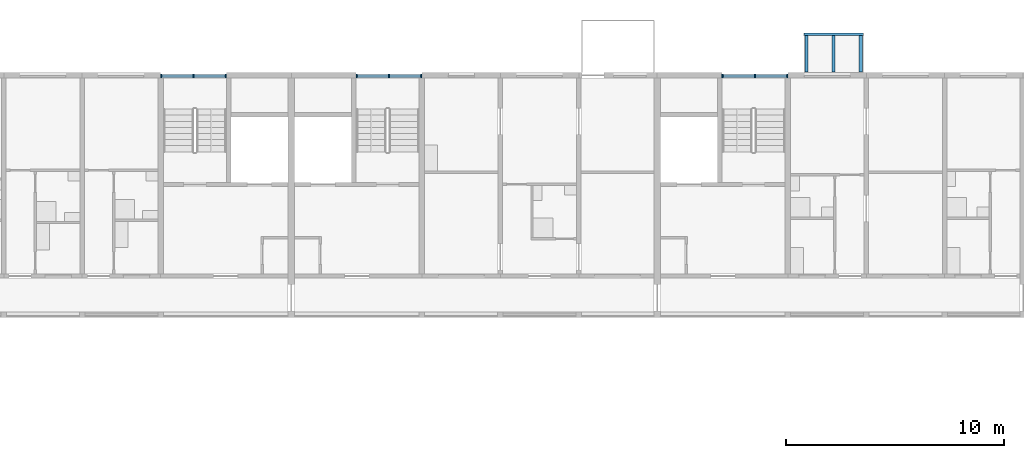
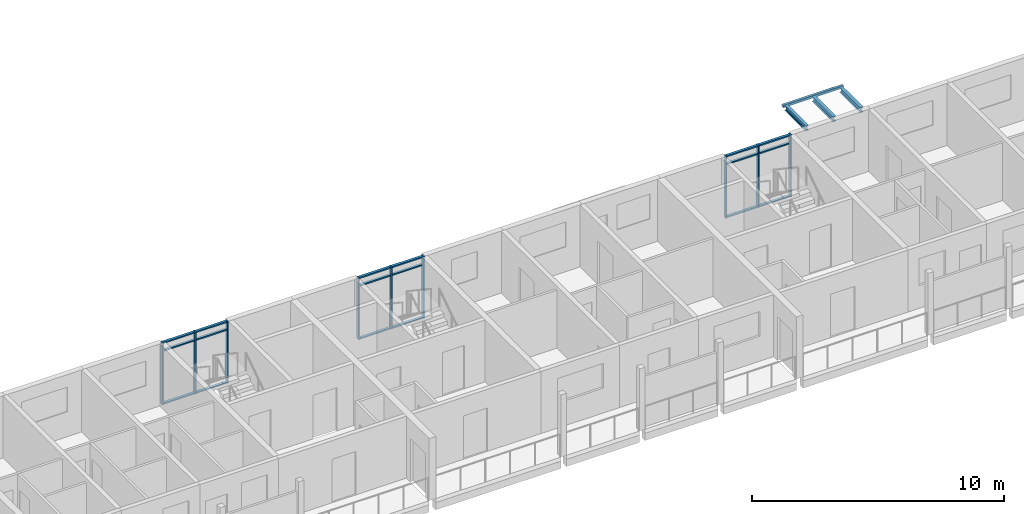
# One storey, part 12 of 98: 27 members, 4 beams, 3 elements without a shape of their own.
"""IFC4 building model written with IfcOpenShell, lengths in metres."""

from ifc_helpers import new_model, si_unit, direction, frame, origin, origin_2d, place, context, subcontext, project, spatial, rectangle, hollow_rectangle, i_section, extrude, material, material_profile, profile_set, type_object, element, aggregate, save


model = new_model("IFC4")

# Units and contexts
model_context = context("Model", 3, precision=1e-05, world=origin(), true_north=direction((0.0, 1.0)))
body_context = subcontext(model_context, "Body", "Model", "MODEL_VIEW")
ifc_project = project(units=[si_unit("LENGTHUNIT", "METRE"), si_unit("AREAUNIT", "SQUARE_METRE"), si_unit("VOLUMEUNIT", "CUBIC_METRE"), si_unit("PLANEANGLEUNIT", "RADIAN"), si_unit("MASSUNIT", "GRAM", prefix="KILO")], contexts=[model_context])

# Site, building, storey
site_placement = place(None, origin())
site = spatial("IfcSite", under=ifc_project, at=site_placement, CompositionType="ELEMENT")
building_placement = place(site_placement, origin())
building = spatial("IfcBuilding", under=site, at=building_placement, Name="Ridgestep Commons", CompositionType="ELEMENT")
storey_placement = place(building_placement, frame((0.0, 0.0, 12.0)))
storey = spatial("IfcBuildingStorey", under=building, at=storey_placement, Name="L04", CompositionType="ELEMENT", Elevation=12.0)

# Curtain wall, members
ifc_material_1 = material(Name="Aluminium 6063-T6 and glass", Category="aluminium")
curtain_wall_type = type_object("IfcCurtainWallType", Name="Curtain wall stair strip", PredefinedType="NOTDEFINED", material=ifc_material_1)
curtain_wall_1_placement = place(storey_placement, origin())
curtain_wall_1 = element("IfcCurtainWall", 1, at=curtain_wall_1_placement, inside=storey, type_object=curtain_wall_type, Name="Curtain wall B1C level 04", PredefinedType="NOTDEFINED")
ifc_material_2 = material(Name="Aluminium 6063-T6", Category="aluminium")
ifc_material_profile_1 = material_profile(ifc_material_2, rectangle(XDim=0.159912109375, YDim=0.06005859375, at=origin_2d()), Name="Mullion 60 x 160")
ifc_profile_set_1 = profile_set([ifc_material_profile_1], Name="Aluminium 6063-T6")
member_type_1 = type_object("IfcMemberType", Name="Mullion 60 x 160", PredefinedType="MULLION", material=ifc_profile_set_1)
member_1_placement = place(storey_placement, frame((22.830078125, 77.080078125, 0.0), z_axis=(0.0, 0.0, 1.0), x_axis=(0.0, 1.0, 0.0)))
member_1 = element("IfcMember", 2, at=member_1_placement, type_object=member_type_1, Name="CW1 mullion 1", PredefinedType="MULLION", context=body_context, shape_type="SweptSolid", body=[
    extrude(rectangle(XDim=0.159912109375, YDim=0.06005859375, at=origin_2d()), origin(), (0.0, 0.0, 1.0), 3.0),
])
member_2_placement = place(storey_placement, frame((24.3125, 77.080078125, 0.0), z_axis=(0.0, 0.0, 1.0), x_axis=(0.0, 1.0, 0.0)))
member_2 = element("IfcMember", 3, at=member_2_placement, type_object=member_type_1, Name="CW1 mullion 2", PredefinedType="MULLION", context=body_context, shape_type="SweptSolid", body=[
    extrude(rectangle(XDim=0.159912109375, YDim=0.06005859375, at=origin_2d()), origin(), (0.0, 0.0, 1.0), 3.0),
])
member_3_placement = place(storey_placement, frame((25.794921875, 77.080078125, 0.0), z_axis=(0.0, 0.0, 1.0), x_axis=(0.0, 1.0, 0.0)))
member_3 = element("IfcMember", 4, at=member_3_placement, type_object=member_type_1, Name="CW1 mullion 3", PredefinedType="MULLION", context=body_context, shape_type="SweptSolid", body=[
    extrude(rectangle(XDim=0.159912109375, YDim=0.06005859375, at=origin_2d()), origin(), (0.0, 0.0, 1.0), 3.0),
])

curtain_wall_2_placement = place(storey_placement, origin())
curtain_wall_2 = element("IfcCurtainWall", 5, at=curtain_wall_2_placement, inside=storey, type_object=curtain_wall_type, Name="Curtain wall B2C level 04", PredefinedType="NOTDEFINED")
member_4_placement = place(storey_placement, frame((31.804931640625, 77.080078125, 0.0), z_axis=(0.0, 0.0, 1.0), x_axis=(0.0, 1.0, 0.0)))
member_4 = element("IfcMember", 6, at=member_4_placement, type_object=member_type_1, Name="CW1 mullion 1", PredefinedType="MULLION", context=body_context, shape_type="SweptSolid", body=[
    extrude(rectangle(XDim=0.159912109375, YDim=0.06005859375, at=origin_2d()), origin(), (0.0, 0.0, 1.0), 3.0),
])
member_5_placement = place(storey_placement, frame((33.28759765625, 77.080078125, 0.0), z_axis=(0.0, 0.0, 1.0), x_axis=(0.0, 1.0, 0.0)))
member_5 = element("IfcMember", 7, at=member_5_placement, type_object=member_type_1, Name="CW1 mullion 2", PredefinedType="MULLION", context=body_context, shape_type="SweptSolid", body=[
    extrude(rectangle(XDim=0.159912109375, YDim=0.06005859375, at=origin_2d()), origin(), (0.0, 0.0, 1.0), 3.0),
])
member_6_placement = place(storey_placement, frame((34.77001953125, 77.080078125, 0.0), z_axis=(0.0, 0.0, 1.0), x_axis=(0.0, 1.0, 0.0)))
member_6 = element("IfcMember", 8, at=member_6_placement, type_object=member_type_1, Name="CW1 mullion 3", PredefinedType="MULLION", context=body_context, shape_type="SweptSolid", body=[
    extrude(rectangle(XDim=0.159912109375, YDim=0.06005859375, at=origin_2d()), origin(), (0.0, 0.0, 1.0), 3.0),
])

curtain_wall_3_placement = place(storey_placement, origin())
curtain_wall_3 = element("IfcCurtainWall", 9, at=curtain_wall_3_placement, inside=storey, type_object=curtain_wall_type, Name="Curtain wall B3C level 04", PredefinedType="NOTDEFINED")
member_7_placement = place(storey_placement, frame((48.60498046875, 77.080078125, 0.0), z_axis=(0.0, 0.0, 1.0), x_axis=(0.0, 1.0, 0.0)))
member_7 = element("IfcMember", 10, at=member_7_placement, type_object=member_type_1, Name="CW1 mullion 1", PredefinedType="MULLION", context=body_context, shape_type="SweptSolid", body=[
    extrude(rectangle(XDim=0.159912109375, YDim=0.06005859375, at=origin_2d()), origin(), (0.0, 0.0, 1.0), 3.0),
])
member_8_placement = place(storey_placement, frame((50.08740234375, 77.080078125, 0.0), z_axis=(0.0, 0.0, 1.0), x_axis=(0.0, 1.0, 0.0)))
member_8 = element("IfcMember", 11, at=member_8_placement, type_object=member_type_1, Name="CW1 mullion 2", PredefinedType="MULLION", context=body_context, shape_type="SweptSolid", body=[
    extrude(rectangle(XDim=0.159912109375, YDim=0.06005859375, at=origin_2d()), origin(), (0.0, 0.0, 1.0), 3.0),
])
member_9_placement = place(storey_placement, frame((51.570068359375, 77.080078125, 0.0), z_axis=(0.0, 0.0, 1.0), x_axis=(0.0, 1.0, 0.0)))
member_9 = element("IfcMember", 12, at=member_9_placement, type_object=member_type_1, Name="CW1 mullion 3", PredefinedType="MULLION", context=body_context, shape_type="SweptSolid", body=[
    extrude(rectangle(XDim=0.159912109375, YDim=0.06005859375, at=origin_2d()), origin(), (0.0, 0.0, 1.0), 3.0),
])

# Member
ifc_material_3 = material(Name="Aluminium 6063-T6", Category="aluminium")
ifc_material_profile_2 = material_profile(ifc_material_3, rectangle(XDim=0.1201171875, YDim=0.06005859375, at=origin_2d()), Name="Transom 60 x 120")
ifc_profile_set_2 = profile_set([ifc_material_profile_2], Name="Aluminium 6063-T6")
member_type_2 = type_object("IfcMemberType", Name="Transom 60 x 120", PredefinedType="USERDEFINED", material=ifc_profile_set_2)
member_10_placement = place(storey_placement, frame((22.860107421875, 77.080078125, 0.030029296875), z_axis=(1.0, 0.0, 0.0), x_axis=(0.0, 1.0, 0.0)))
member_10 = element("IfcMember", 13, at=member_10_placement, type_object=member_type_2, Name="CW1 transom 1.1", ObjectType="TRANSOM", PredefinedType="USERDEFINED", context=body_context, shape_type="SweptSolid", body=[
    extrude(rectangle(XDim=0.1201171875, YDim=0.06005859375, at=origin_2d()), origin(), (0.0, 0.0, 1.0), 1.42236328125),
])

member_11_placement = place(storey_placement, frame((22.860107421875, 77.080078125, 2.590087890625), z_axis=(1.0, 0.0, 0.0), x_axis=(0.0, 1.0, 0.0)))
member_11 = element("IfcMember", 14, at=member_11_placement, type_object=member_type_2, Name="CW1 transom 1.2", ObjectType="TRANSOM", PredefinedType="USERDEFINED", context=body_context, shape_type="SweptSolid", body=[
    extrude(rectangle(XDim=0.1201171875, YDim=0.06005859375, at=origin_2d()), origin(), (0.0, 0.0, 1.0), 1.42236328125),
])

member_12_placement = place(storey_placement, frame((22.860107421875, 77.080078125, 2.969970703125), z_axis=(1.0, 0.0, 0.0), x_axis=(0.0, 1.0, 0.0)))
member_12 = element("IfcMember", 15, at=member_12_placement, type_object=member_type_2, Name="CW1 transom 1.3", ObjectType="TRANSOM", PredefinedType="USERDEFINED", context=body_context, shape_type="SweptSolid", body=[
    extrude(rectangle(XDim=0.1201171875, YDim=0.06005859375, at=origin_2d()), origin(), (0.0, 0.0, 1.0), 1.42236328125),
])

member_13_placement = place(storey_placement, frame((24.342529296875, 77.080078125, 0.030029296875), z_axis=(1.0, 0.0, 0.0), x_axis=(0.0, 1.0, 0.0)))
member_13 = element("IfcMember", 16, at=member_13_placement, type_object=member_type_2, Name="CW1 transom 2.1", ObjectType="TRANSOM", PredefinedType="USERDEFINED", context=body_context, shape_type="SweptSolid", body=[
    extrude(rectangle(XDim=0.1201171875, YDim=0.06005859375, at=origin_2d()), origin(), (0.0, 0.0, 1.0), 1.42236328125),
])

member_14_placement = place(storey_placement, frame((24.342529296875, 77.080078125, 2.590087890625), z_axis=(1.0, 0.0, 0.0), x_axis=(0.0, 1.0, 0.0)))
member_14 = element("IfcMember", 17, at=member_14_placement, type_object=member_type_2, Name="CW1 transom 2.2", ObjectType="TRANSOM", PredefinedType="USERDEFINED", context=body_context, shape_type="SweptSolid", body=[
    extrude(rectangle(XDim=0.1201171875, YDim=0.06005859375, at=origin_2d()), origin(), (0.0, 0.0, 1.0), 1.42236328125),
])

member_15_placement = place(storey_placement, frame((24.342529296875, 77.080078125, 2.969970703125), z_axis=(1.0, 0.0, 0.0), x_axis=(0.0, 1.0, 0.0)))
member_15 = element("IfcMember", 18, at=member_15_placement, type_object=member_type_2, Name="CW1 transom 2.3", ObjectType="TRANSOM", PredefinedType="USERDEFINED", context=body_context, shape_type="SweptSolid", body=[
    extrude(rectangle(XDim=0.1201171875, YDim=0.06005859375, at=origin_2d()), origin(), (0.0, 0.0, 1.0), 1.42236328125),
])

aggregate(curtain_wall_1, [member_1, member_2, member_3, member_10, member_11, member_12, member_13, member_14, member_15])

member_16_placement = place(storey_placement, frame((31.8349609375, 77.080078125, 0.030029296875), z_axis=(1.0, 0.0, 0.0), x_axis=(0.0, 1.0, 0.0)))
member_16 = element("IfcMember", 19, at=member_16_placement, type_object=member_type_2, Name="CW1 transom 1.1", ObjectType="TRANSOM", PredefinedType="USERDEFINED", context=body_context, shape_type="SweptSolid", body=[
    extrude(rectangle(XDim=0.1201171875, YDim=0.06005859375, at=origin_2d()), origin(), (0.0, 0.0, 1.0), 1.422607421875),
])

member_17_placement = place(storey_placement, frame((31.8349609375, 77.080078125, 2.590087890625), z_axis=(1.0, 0.0, 0.0), x_axis=(0.0, 1.0, 0.0)))
member_17 = element("IfcMember", 20, at=member_17_placement, type_object=member_type_2, Name="CW1 transom 1.2", ObjectType="TRANSOM", PredefinedType="USERDEFINED", context=body_context, shape_type="SweptSolid", body=[
    extrude(rectangle(XDim=0.1201171875, YDim=0.06005859375, at=origin_2d()), origin(), (0.0, 0.0, 1.0), 1.422607421875),
])

member_18_placement = place(storey_placement, frame((31.8349609375, 77.080078125, 2.969970703125), z_axis=(1.0, 0.0, 0.0), x_axis=(0.0, 1.0, 0.0)))
member_18 = element("IfcMember", 21, at=member_18_placement, type_object=member_type_2, Name="CW1 transom 1.3", ObjectType="TRANSOM", PredefinedType="USERDEFINED", context=body_context, shape_type="SweptSolid", body=[
    extrude(rectangle(XDim=0.1201171875, YDim=0.06005859375, at=origin_2d()), origin(), (0.0, 0.0, 1.0), 1.422607421875),
])

member_19_placement = place(storey_placement, frame((33.3173828125, 77.080078125, 0.030029296875), z_axis=(1.0, 0.0, 0.0), x_axis=(0.0, 1.0, 0.0)))
member_19 = element("IfcMember", 22, at=member_19_placement, type_object=member_type_2, Name="CW1 transom 2.1", ObjectType="TRANSOM", PredefinedType="USERDEFINED", context=body_context, shape_type="SweptSolid", body=[
    extrude(rectangle(XDim=0.1201171875, YDim=0.06005859375, at=origin_2d()), origin(), (0.0, 0.0, 1.0), 1.422607421875),
])

member_20_placement = place(storey_placement, frame((33.3173828125, 77.080078125, 2.590087890625), z_axis=(1.0, 0.0, 0.0), x_axis=(0.0, 1.0, 0.0)))
member_20 = element("IfcMember", 23, at=member_20_placement, type_object=member_type_2, Name="CW1 transom 2.2", ObjectType="TRANSOM", PredefinedType="USERDEFINED", context=body_context, shape_type="SweptSolid", body=[
    extrude(rectangle(XDim=0.1201171875, YDim=0.06005859375, at=origin_2d()), origin(), (0.0, 0.0, 1.0), 1.422607421875),
])

member_21_placement = place(storey_placement, frame((33.3173828125, 77.080078125, 2.969970703125), z_axis=(1.0, 0.0, 0.0), x_axis=(0.0, 1.0, 0.0)))
member_21 = element("IfcMember", 24, at=member_21_placement, type_object=member_type_2, Name="CW1 transom 2.3", ObjectType="TRANSOM", PredefinedType="USERDEFINED", context=body_context, shape_type="SweptSolid", body=[
    extrude(rectangle(XDim=0.1201171875, YDim=0.06005859375, at=origin_2d()), origin(), (0.0, 0.0, 1.0), 1.422607421875),
])

aggregate(curtain_wall_2, [member_4, member_5, member_6, member_16, member_17, member_18, member_19, member_20, member_21])

member_22_placement = place(storey_placement, frame((48.635009765625, 77.080078125, 0.030029296875), z_axis=(1.0, 0.0, 0.0), x_axis=(0.0, 1.0, 0.0)))
member_22 = element("IfcMember", 25, at=member_22_placement, type_object=member_type_2, Name="CW1 transom 1.1", ObjectType="TRANSOM", PredefinedType="USERDEFINED", context=body_context, shape_type="SweptSolid", body=[
    extrude(rectangle(XDim=0.1201171875, YDim=0.06005859375, at=origin_2d()), origin(), (0.0, 0.0, 1.0), 1.422607421875),
])

member_23_placement = place(storey_placement, frame((48.635009765625, 77.080078125, 2.590087890625), z_axis=(1.0, 0.0, 0.0), x_axis=(0.0, 1.0, 0.0)))
member_23 = element("IfcMember", 26, at=member_23_placement, type_object=member_type_2, Name="CW1 transom 1.2", ObjectType="TRANSOM", PredefinedType="USERDEFINED", context=body_context, shape_type="SweptSolid", body=[
    extrude(rectangle(XDim=0.1201171875, YDim=0.06005859375, at=origin_2d()), origin(), (0.0, 0.0, 1.0), 1.422607421875),
])

member_24_placement = place(storey_placement, frame((48.635009765625, 77.080078125, 2.969970703125), z_axis=(1.0, 0.0, 0.0), x_axis=(0.0, 1.0, 0.0)))
member_24 = element("IfcMember", 27, at=member_24_placement, type_object=member_type_2, Name="CW1 transom 1.3", ObjectType="TRANSOM", PredefinedType="USERDEFINED", context=body_context, shape_type="SweptSolid", body=[
    extrude(rectangle(XDim=0.1201171875, YDim=0.06005859375, at=origin_2d()), origin(), (0.0, 0.0, 1.0), 1.422607421875),
])

member_25_placement = place(storey_placement, frame((50.117431640625, 77.080078125, 0.030029296875), z_axis=(1.0, 0.0, 0.0), x_axis=(0.0, 1.0, 0.0)))
member_25 = element("IfcMember", 28, at=member_25_placement, type_object=member_type_2, Name="CW1 transom 2.1", ObjectType="TRANSOM", PredefinedType="USERDEFINED", context=body_context, shape_type="SweptSolid", body=[
    extrude(rectangle(XDim=0.1201171875, YDim=0.06005859375, at=origin_2d()), origin(), (0.0, 0.0, 1.0), 1.422607421875),
])

member_26_placement = place(storey_placement, frame((50.117431640625, 77.080078125, 2.590087890625), z_axis=(1.0, 0.0, 0.0), x_axis=(0.0, 1.0, 0.0)))
member_26 = element("IfcMember", 29, at=member_26_placement, type_object=member_type_2, Name="CW1 transom 2.2", ObjectType="TRANSOM", PredefinedType="USERDEFINED", context=body_context, shape_type="SweptSolid", body=[
    extrude(rectangle(XDim=0.1201171875, YDim=0.06005859375, at=origin_2d()), origin(), (0.0, 0.0, 1.0), 1.422607421875),
])

member_27_placement = place(storey_placement, frame((50.117431640625, 77.080078125, 2.969970703125), z_axis=(1.0, 0.0, 0.0), x_axis=(0.0, 1.0, 0.0)))
member_27 = element("IfcMember", 30, at=member_27_placement, type_object=member_type_2, Name="CW1 transom 2.3", ObjectType="TRANSOM", PredefinedType="USERDEFINED", context=body_context, shape_type="SweptSolid", body=[
    extrude(rectangle(XDim=0.1201171875, YDim=0.06005859375, at=origin_2d()), origin(), (0.0, 0.0, 1.0), 1.422607421875),
])

aggregate(curtain_wall_3, [member_7, member_8, member_9, member_22, member_23, member_24, member_25, member_26, member_27])

# Beams
ifc_material_4 = material(Name="Weathering steel S355J2W", Category="steel")
ifc_material_profile_3 = material_profile(ifc_material_4, i_section(OverallWidth=0.14599609375, OverallDepth=0.25146484375, WebThickness=0.006103515625, FlangeThickness=0.008544921875, FilletRadius=0.007568359375, at=origin_2d()), Name="UB 254x146x31")
ifc_profile_set_3 = profile_set([ifc_material_profile_3], Name="Weathering steel S355J2W")
beam_type_1 = type_object("IfcBeamType", Name="Tray arm UB 254x146x31", PredefinedType="BEAM", material=ifc_profile_set_3)
for number, where, z_axis, x_axis, name in (
    (31, (52.449951171875, 77.264892578125, 2.8642578125), (0.0, 1.0, 0.0), (-1.0, 0.0, 0.0), "Tray arm B3T3-05.1"),
    (32, (53.699951171875, 77.264892578125, 2.8642578125), (0.0, 1.0, 0.0), (-1.0, 0.0, 0.0), "Tray arm B3T3-05.2"),
    (33, (54.949951171875, 77.264892578125, 2.8642578125), (0.0, 1.0, 0.0), (-1.0, 0.0, 0.0), "Tray arm B3T3-05.3"),
):
    element("IfcBeam", number, at=place(storey_placement, frame(where, z_axis=z_axis, x_axis=x_axis)), inside=storey, type_object=beam_type_1, Name=name, PredefinedType="BEAM", context=body_context, shape_type="SweptSolid", body=[
        extrude(i_section(OverallWidth=0.14599609375, OverallDepth=0.25146484375, WebThickness=0.006103515625, FlangeThickness=0.008544921875, FilletRadius=0.007568359375, at=origin_2d()), origin(), (0.0, 0.0, 1.0), 1.6650390625),
    ])
ifc_material_5 = material(Name="Weathering steel S355J2W", Category="steel")
ifc_material_profile_4 = material_profile(ifc_material_5, hollow_rectangle(XDim=0.1201171875, YDim=0.1201171875, WallThickness=0.00634765625, InnerFilletRadius=0.00634765625, OuterFilletRadius=0.009521484375, at=origin_2d()), Name="SHS 120x120x6.3")
ifc_profile_set_4 = profile_set([ifc_material_profile_4], Name="Weathering steel S355J2W")
beam_type_2 = type_object("IfcBeamType", Name="Tray edge member SHS 120x120x6.3", PredefinedType="BEAM", material=ifc_profile_set_4)
beam_placement = place(storey_placement, frame((52.330078125, 78.989990234375, 2.929931640625), z_axis=(1.0, 0.0, 0.0), x_axis=(0.0, 0.0, 1.0)))
element("IfcBeam", 34, at=beam_placement, inside=storey, type_object=beam_type_2, Name="Tray edge member B3T3-05", PredefinedType="BEAM", context=body_context, shape_type="SweptSolid", body=[
    extrude(hollow_rectangle(XDim=0.1201171875, YDim=0.1201171875, WallThickness=0.00634765625, InnerFilletRadius=0.00634765625, OuterFilletRadius=0.009521484375, at=origin_2d()), origin(), (0.0, 0.0, 1.0), 2.739990234375),
])

save(model, "model.ifc")
